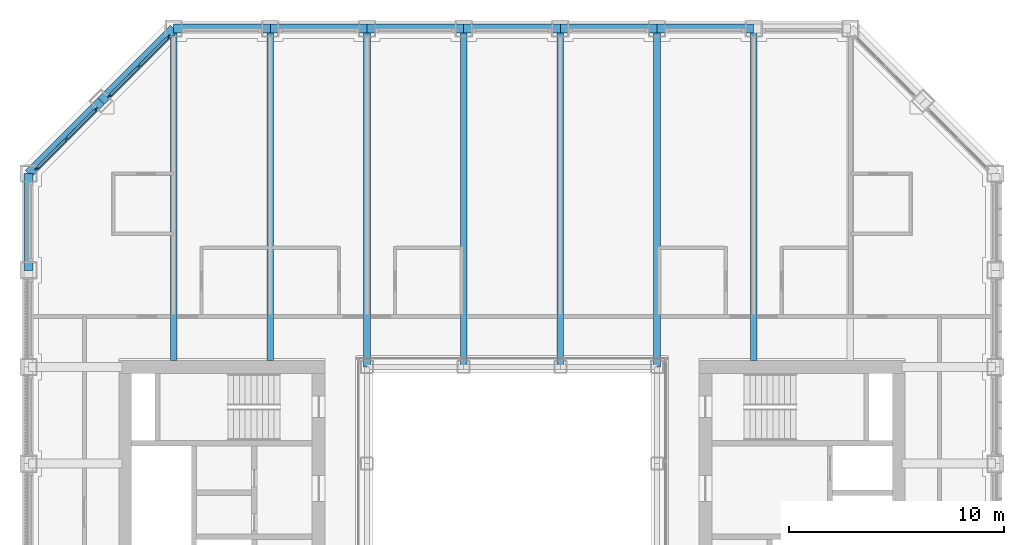
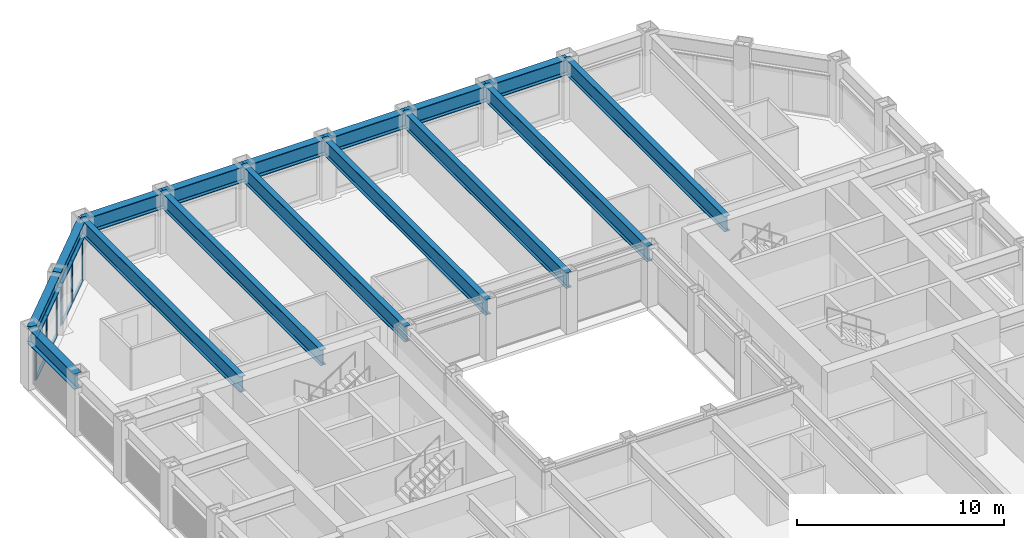
# One storey, part 7 of 17: 16 beams, 14 members, 2 elements without a shape of their own.
"""IFC4 building model written with IfcOpenShell, lengths in metres."""

from ifc_helpers import new_model, si_unit, direction, frame, origin, origin_2d, place, context, subcontext, project, spatial, rectangle, i_section, extrude, material, material_profile, profile_set, type_object, element, aggregate, save


model = new_model("IFC4")

# Units and contexts
model_context = context("Model", 3, precision=1e-05, world=origin(), true_north=direction((0.0, 1.0)))
body_context = subcontext(model_context, "Body", "Model", "MODEL_VIEW")
ifc_project = project(units=[si_unit("LENGTHUNIT", "METRE"), si_unit("AREAUNIT", "SQUARE_METRE"), si_unit("VOLUMEUNIT", "CUBIC_METRE"), si_unit("PLANEANGLEUNIT", "RADIAN"), si_unit("MASSUNIT", "GRAM", prefix="KILO")], contexts=[model_context])

# Site, building, storey
site_placement = place(None, origin())
site = spatial("IfcSite", under=ifc_project, at=site_placement, CompositionType="ELEMENT")
building_placement = place(site_placement, origin())
building = spatial("IfcBuilding", under=site, at=building_placement, Name="Msasa Ring Tower", CompositionType="ELEMENT")
storey_placement = place(building_placement, frame((0.0, 0.0, 129.199951171875)))
storey = spatial("IfcBuildingStorey", under=building, at=storey_placement, Name="L33", CompositionType="ELEMENT", Elevation=129.199951171875)

# Curtain wall, members
ifc_material_1 = material(Name="Aluminium curtain wall with clear glass", Category="aluminium")
curtain_wall_type = type_object("IfcCurtainWallType", Name="CW-C CHAMFER CORNER CURTAIN WALL", PredefinedType="NOTDEFINED", material=ifc_material_1)
curtain_wall_1_placement = place(storey_placement, origin())
curtain_wall_1 = element("IfcCurtainWall", 1, at=curtain_wall_1_placement, inside=storey, type_object=curtain_wall_type, Name="Chamfer corner curtain wall NW L33", PredefinedType="NOTDEFINED")
ifc_material_2 = material(Name="Aluminium mullion", Category="aluminium")
ifc_material_profile_1 = material_profile(ifc_material_2, rectangle(XDim=0.06494140625, YDim=0.179931640625, at=origin_2d()), Name="AL 65x180")
ifc_profile_set_1 = profile_set([ifc_material_profile_1], Name="Aluminium mullion")
member_type_1 = type_object("IfcMemberType", Name="CW-C MULLION 65x180", PredefinedType="MULLION", material=ifc_profile_set_1)
member_1_placement = place(storey_placement, frame((-19.36376953125, 18.744873046875, 0.0), z_axis=(0.0, 0.0, 1.0), x_axis=(0.707106781187, -0.707106781187, 0.0)))
member_1 = element("IfcMember", 2, at=member_1_placement, type_object=member_type_1, Name="CW-C mullion 1", PredefinedType="MULLION", context=body_context, shape_type="SweptSolid", body=[
    extrude(rectangle(XDim=0.06494140625, YDim=0.179931640625, at=origin_2d()), origin(), (0.0, 0.0, 1.0), 2.47900390625),
])
member_2_placement = place(storey_placement, frame((-20.74169921875, 17.36669921875, 0.0), z_axis=(0.0, 0.0, 1.0), x_axis=(0.707106781187, -0.707106781187, 0.0)))
member_2 = element("IfcMember", 3, at=member_2_placement, type_object=member_type_1, Name="CW-C mullion 2", PredefinedType="MULLION", context=body_context, shape_type="SweptSolid", body=[
    extrude(rectangle(XDim=0.06494140625, YDim=0.179931640625, at=origin_2d()), origin(), (0.0, 0.0, 1.0), 2.47900390625),
])
member_3_placement = place(storey_placement, frame((-22.119873046875, 15.98876953125, 0.0), z_axis=(0.0, 0.0, 1.0), x_axis=(0.707106781187, -0.707106781187, 0.0)))
member_3 = element("IfcMember", 4, at=member_3_placement, type_object=member_type_1, Name="CW-C mullion 3", PredefinedType="MULLION", context=body_context, shape_type="SweptSolid", body=[
    extrude(rectangle(XDim=0.06494140625, YDim=0.179931640625, at=origin_2d()), origin(), (0.0, 0.0, 1.0), 2.47900390625),
])

curtain_wall_2_placement = place(storey_placement, origin())
curtain_wall_2 = element("IfcCurtainWall", 5, at=curtain_wall_2_placement, inside=storey, type_object=curtain_wall_type, Name="Chamfer corner curtain wall NW L33", PredefinedType="NOTDEFINED")
member_4_placement = place(storey_placement, frame((-15.98876953125, 22.119873046875, 0.0), z_axis=(0.0, 0.0, 1.0), x_axis=(0.707106781187, -0.707106781187, 0.0)))
member_4 = element("IfcMember", 6, at=member_4_placement, type_object=member_type_1, Name="CW-C mullion 1", PredefinedType="MULLION", context=body_context, shape_type="SweptSolid", body=[
    extrude(rectangle(XDim=0.06494140625, YDim=0.179931640625, at=origin_2d()), origin(), (0.0, 0.0, 1.0), 2.47900390625),
])
member_5_placement = place(storey_placement, frame((-17.36669921875, 20.74169921875, 0.0), z_axis=(0.0, 0.0, 1.0), x_axis=(0.707106781187, -0.707106781187, 0.0)))
member_5 = element("IfcMember", 7, at=member_5_placement, type_object=member_type_1, Name="CW-C mullion 2", PredefinedType="MULLION", context=body_context, shape_type="SweptSolid", body=[
    extrude(rectangle(XDim=0.06494140625, YDim=0.179931640625, at=origin_2d()), origin(), (0.0, 0.0, 1.0), 2.47900390625),
])
member_6_placement = place(storey_placement, frame((-18.744873046875, 19.36376953125, 0.0), z_axis=(0.0, 0.0, 1.0), x_axis=(0.707106781187, -0.707106781187, 0.0)))
member_6 = element("IfcMember", 8, at=member_6_placement, type_object=member_type_1, Name="CW-C mullion 3", PredefinedType="MULLION", context=body_context, shape_type="SweptSolid", body=[
    extrude(rectangle(XDim=0.06494140625, YDim=0.179931640625, at=origin_2d()), origin(), (0.0, 0.0, 1.0), 2.47900390625),
])

# Member
ifc_material_3 = material(Name="Aluminium transom", Category="aluminium")
ifc_material_profile_2 = material_profile(ifc_material_3, rectangle(XDim=0.139892578125, YDim=0.06494140625, at=origin_2d()), Name="AL 65x140")
ifc_profile_set_2 = profile_set([ifc_material_profile_2], Name="Aluminium transom")
member_type_2 = type_object("IfcMemberType", Name="CW-C TRANSOM 65x140", PredefinedType="USERDEFINED", material=ifc_profile_set_2)
member_7_placement = place(storey_placement, frame((-19.38671875, 18.721923828125, 0.032470703125), z_axis=(-0.707106781187, -0.707106781187, 0.0), x_axis=(0.707106781187, -0.707106781187, 0.0)))
member_7 = element("IfcMember", 9, at=member_7_placement, type_object=member_type_2, Name="CW-C transom 1.1", ObjectType="TRANSOM", PredefinedType="USERDEFINED", context=body_context, shape_type="SweptSolid", body=[
    extrude(rectangle(XDim=0.139892578125, YDim=0.06494140625, at=origin_2d()), origin(), (0.0, 0.0, 1.0), 1.8837890625),
])

member_8_placement = place(storey_placement, frame((-19.38671875, 18.721923828125, 2.446533203125), z_axis=(-0.707106781187, -0.707106781187, 0.0), x_axis=(0.707106781187, -0.707106781187, 0.0)))
member_8 = element("IfcMember", 10, at=member_8_placement, type_object=member_type_2, Name="CW-C transom 1.2", ObjectType="TRANSOM", PredefinedType="USERDEFINED", context=body_context, shape_type="SweptSolid", body=[
    extrude(rectangle(XDim=0.139892578125, YDim=0.06494140625, at=origin_2d()), origin(), (0.0, 0.0, 1.0), 1.8837890625),
])

member_9_placement = place(storey_placement, frame((-20.764892578125, 17.34375, 0.032470703125), z_axis=(-0.707106781187, -0.707106781187, 0.0), x_axis=(0.707106781187, -0.707106781187, 0.0)))
member_9 = element("IfcMember", 11, at=member_9_placement, type_object=member_type_2, Name="CW-C transom 2.1", ObjectType="TRANSOM", PredefinedType="USERDEFINED", context=body_context, shape_type="SweptSolid", body=[
    extrude(rectangle(XDim=0.139892578125, YDim=0.06494140625, at=origin_2d()), origin(), (0.0, 0.0, 1.0), 1.8837890625),
])

member_10_placement = place(storey_placement, frame((-20.764892578125, 17.34375, 2.446533203125), z_axis=(-0.707106781187, -0.707106781187, 0.0), x_axis=(0.707106781187, -0.707106781187, 0.0)))
member_10 = element("IfcMember", 12, at=member_10_placement, type_object=member_type_2, Name="CW-C transom 2.2", ObjectType="TRANSOM", PredefinedType="USERDEFINED", context=body_context, shape_type="SweptSolid", body=[
    extrude(rectangle(XDim=0.139892578125, YDim=0.06494140625, at=origin_2d()), origin(), (0.0, 0.0, 1.0), 1.8837890625),
])

aggregate(curtain_wall_1, [member_1, member_2, member_3, member_7, member_8, member_9, member_10])

member_11_placement = place(storey_placement, frame((-16.01171875, 22.096923828125, 0.032470703125), z_axis=(-0.707106781187, -0.707106781187, 0.0), x_axis=(0.707106781187, -0.707106781187, 0.0)))
member_11 = element("IfcMember", 13, at=member_11_placement, type_object=member_type_2, Name="CW-C transom 1.1", ObjectType="TRANSOM", PredefinedType="USERDEFINED", context=body_context, shape_type="SweptSolid", body=[
    extrude(rectangle(XDim=0.139892578125, YDim=0.06494140625, at=origin_2d()), origin(), (0.0, 0.0, 1.0), 1.8837890625),
])

member_12_placement = place(storey_placement, frame((-16.01171875, 22.096923828125, 2.446533203125), z_axis=(-0.707106781187, -0.707106781187, 0.0), x_axis=(0.707106781187, -0.707106781187, 0.0)))
member_12 = element("IfcMember", 14, at=member_12_placement, type_object=member_type_2, Name="CW-C transom 1.2", ObjectType="TRANSOM", PredefinedType="USERDEFINED", context=body_context, shape_type="SweptSolid", body=[
    extrude(rectangle(XDim=0.139892578125, YDim=0.06494140625, at=origin_2d()), origin(), (0.0, 0.0, 1.0), 1.8837890625),
])

member_13_placement = place(storey_placement, frame((-17.389892578125, 20.71875, 0.032470703125), z_axis=(-0.707106781187, -0.707106781187, 0.0), x_axis=(0.707106781187, -0.707106781187, 0.0)))
member_13 = element("IfcMember", 15, at=member_13_placement, type_object=member_type_2, Name="CW-C transom 2.1", ObjectType="TRANSOM", PredefinedType="USERDEFINED", context=body_context, shape_type="SweptSolid", body=[
    extrude(rectangle(XDim=0.139892578125, YDim=0.06494140625, at=origin_2d()), origin(), (0.0, 0.0, 1.0), 1.8837890625),
])

member_14_placement = place(storey_placement, frame((-17.389892578125, 20.71875, 2.446533203125), z_axis=(-0.707106781187, -0.707106781187, 0.0), x_axis=(0.707106781187, -0.707106781187, 0.0)))
member_14 = element("IfcMember", 16, at=member_14_placement, type_object=member_type_2, Name="CW-C transom 2.2", ObjectType="TRANSOM", PredefinedType="USERDEFINED", context=body_context, shape_type="SweptSolid", body=[
    extrude(rectangle(XDim=0.139892578125, YDim=0.06494140625, at=origin_2d()), origin(), (0.0, 0.0, 1.0), 1.8837890625),
])

aggregate(curtain_wall_2, [member_4, member_5, member_6, member_11, member_12, member_13, member_14])

# Beams
ifc_material_4 = material(Name="Steel S355", Category="steel")
ifc_material_profile_3 = material_profile(ifc_material_4, i_section(OverallWidth=0.3076171875, OverallDepth=0.926513671875, WebThickness=0.01953125, FlangeThickness=0.031982421875, FilletRadius=0.01904296875, at=origin_2d()), Name="UB 914x305x289")
ifc_profile_set_3 = profile_set([ifc_material_profile_3], Name="Steel S355")
beam_type_1 = type_object("IfcBeamType", Name="FB3 UB 914x305x289", PredefinedType="BEAM", material=ifc_profile_set_3)
for number, where, z_axis, x_axis, name in (
    (17, (-15.75, 22.5, 2.936767578125), (0.0, -1.0, 0.0), (1.0, 0.0, 0.0), "Floor beam N-15.75 under L34"),
    (18, (-11.25, 22.5, 2.936767578125), (0.0, -1.0, 0.0), (1.0, 0.0, 0.0), "Floor beam N-11.25 under L34"),
):
    element("IfcBeam", number, at=place(storey_placement, frame(where, z_axis=z_axis, x_axis=x_axis)), inside=storey, type_object=beam_type_1, Name=name, PredefinedType="BEAM", context=body_context, shape_type="SweptSolid", body=[
        extrude(i_section(OverallWidth=0.3076171875, OverallDepth=0.926513671875, WebThickness=0.01953125, FlangeThickness=0.031982421875, FilletRadius=0.01904296875, at=origin_2d()), origin(), (0.0, 0.0, 1.0), 15.449951171875),
    ])
for number, where, z_axis, x_axis, name in (
    (19, (-6.75, 22.5, 2.936767578125), (0.0, -1.0, 0.0), (1.0, 0.0, 0.0), "Floor beam N-6.75 under L34"),
    (20, (-2.25, 22.5, 2.936767578125), (0.0, -1.0, 0.0), (1.0, 0.0, 0.0), "Floor beam N-2.25 under L34"),
    (21, (2.25, 22.5, 2.936767578125), (0.0, -1.0, 0.0), (1.0, 0.0, 0.0), "Floor beam N+2.25 under L34"),
    (22, (6.75, 22.5, 2.936767578125), (0.0, -1.0, 0.0), (1.0, 0.0, 0.0), "Floor beam N+6.75 under L34"),
):
    element("IfcBeam", number, at=place(storey_placement, frame(where, z_axis=z_axis, x_axis=x_axis)), inside=storey, type_object=beam_type_1, Name=name, PredefinedType="BEAM", context=body_context, shape_type="SweptSolid", body=[
        extrude(i_section(OverallWidth=0.3076171875, OverallDepth=0.926513671875, WebThickness=0.01953125, FlangeThickness=0.031982421875, FilletRadius=0.01904296875, at=origin_2d()), origin(), (0.0, 0.0, 1.0), 15.75),
    ])
beam_1_placement = place(storey_placement, frame((11.25, 22.5, 2.936767578125), z_axis=(0.0, -1.0, 0.0), x_axis=(1.0, 0.0, 0.0)))
element("IfcBeam", 23, at=beam_1_placement, inside=storey, type_object=beam_type_1, Name="Floor beam N+11.25 under L34", PredefinedType="BEAM", context=body_context, shape_type="SweptSolid", body=[
    extrude(i_section(OverallWidth=0.3076171875, OverallDepth=0.926513671875, WebThickness=0.01953125, FlangeThickness=0.031982421875, FilletRadius=0.01904296875, at=origin_2d()), origin(), (0.0, 0.0, 1.0), 15.449951171875),
])
ifc_material_5 = material(Name="Steel S355", Category="steel")
ifc_material_profile_4 = material_profile(ifc_material_5, i_section(OverallWidth=0.42041015625, OverallDepth=0.9208984375, WebThickness=0.021484375, FlangeThickness=0.03662109375, FilletRadius=0.024169921875, at=origin_2d()), Name="UB 914x419x388")
ifc_profile_set_4 = profile_set([ifc_material_profile_4], Name="Steel S355")
beam_type_2 = type_object("IfcBeamType", Name="SB1 UB 914x419x388", PredefinedType="SPANDREL", material=ifc_profile_set_4)
for number, where, z_axis, x_axis, name in (
    (24, (11.25, 22.5, 2.939453125), (-1.0, 0.0, 0.0), (0.0, -1.0, 0.0), "Spandrel N+11.25 to N+6.75 under L34"),
    (25, (6.75, 22.5, 2.939453125), (-1.0, 0.0, 0.0), (0.0, -1.0, 0.0), "Spandrel N+6.75 to N+2.25 under L34"),
    (26, (2.25, 22.5, 2.939453125), (-1.0, 0.0, 0.0), (0.0, -1.0, 0.0), "Spandrel N+2.25 to N-2.25 under L34"),
    (27, (-2.25, 22.5, 2.939453125), (-1.0, 0.0, 0.0), (0.0, -1.0, 0.0), "Spandrel N-2.25 to N-6.75 under L34"),
    (28, (-6.75, 22.5, 2.939453125), (-1.0, 0.0, 0.0), (0.0, -1.0, 0.0), "Spandrel N-6.75 to N-11.25 under L34"),
    (29, (-11.25, 22.5, 2.939453125), (-1.0, 0.0, 0.0), (0.0, -1.0, 0.0), "Spandrel N-11.25 to N-15.75 under L34"),
):
    element("IfcBeam", number, at=place(storey_placement, frame(where, z_axis=z_axis, x_axis=x_axis)), inside=storey, type_object=beam_type_2, Name=name, PredefinedType="SPANDREL", context=body_context, shape_type="SweptSolid", body=[
        extrude(i_section(OverallWidth=0.42041015625, OverallDepth=0.9208984375, WebThickness=0.021484375, FlangeThickness=0.03662109375, FilletRadius=0.024169921875, at=origin_2d()), origin(), (0.0, 0.0, 1.0), 4.5),
    ])
for number, where, z_axis, x_axis, name in (
    (30, (-15.75, 22.5, 2.939453125), (-0.707106781187, -0.707106781187, 0.0), (0.707106781187, -0.707106781187, 0.0), "Spandrel N-15.75 to NW under L34"),
    (31, (-19.125, 19.125, 2.939453125), (-0.707106781187, -0.707106781187, 0.0), (0.707106781187, -0.707106781187, 0.0), "Spandrel NW to W+15.75 under L34"),
):
    element("IfcBeam", number, at=place(storey_placement, frame(where, z_axis=z_axis, x_axis=x_axis)), inside=storey, type_object=beam_type_2, Name=name, PredefinedType="SPANDREL", context=body_context, shape_type="SweptSolid", body=[
        extrude(i_section(OverallWidth=0.42041015625, OverallDepth=0.9208984375, WebThickness=0.021484375, FlangeThickness=0.03662109375, FilletRadius=0.024169921875, at=origin_2d()), origin(), (0.0, 0.0, 1.0), 4.77294921875),
    ])
beam_2_placement = place(storey_placement, frame((-22.5, 15.75, 2.939453125), z_axis=(0.0, -1.0, 0.0), x_axis=(1.0, 0.0, 0.0)))
element("IfcBeam", 32, at=beam_2_placement, inside=storey, type_object=beam_type_2, Name="Spandrel W+15.75 to W+11.25 under L34", PredefinedType="SPANDREL", context=body_context, shape_type="SweptSolid", body=[
    extrude(i_section(OverallWidth=0.42041015625, OverallDepth=0.9208984375, WebThickness=0.021484375, FlangeThickness=0.03662109375, FilletRadius=0.024169921875, at=origin_2d()), origin(), (0.0, 0.0, 1.0), 4.5),
])

save(model, "model.ifc")
